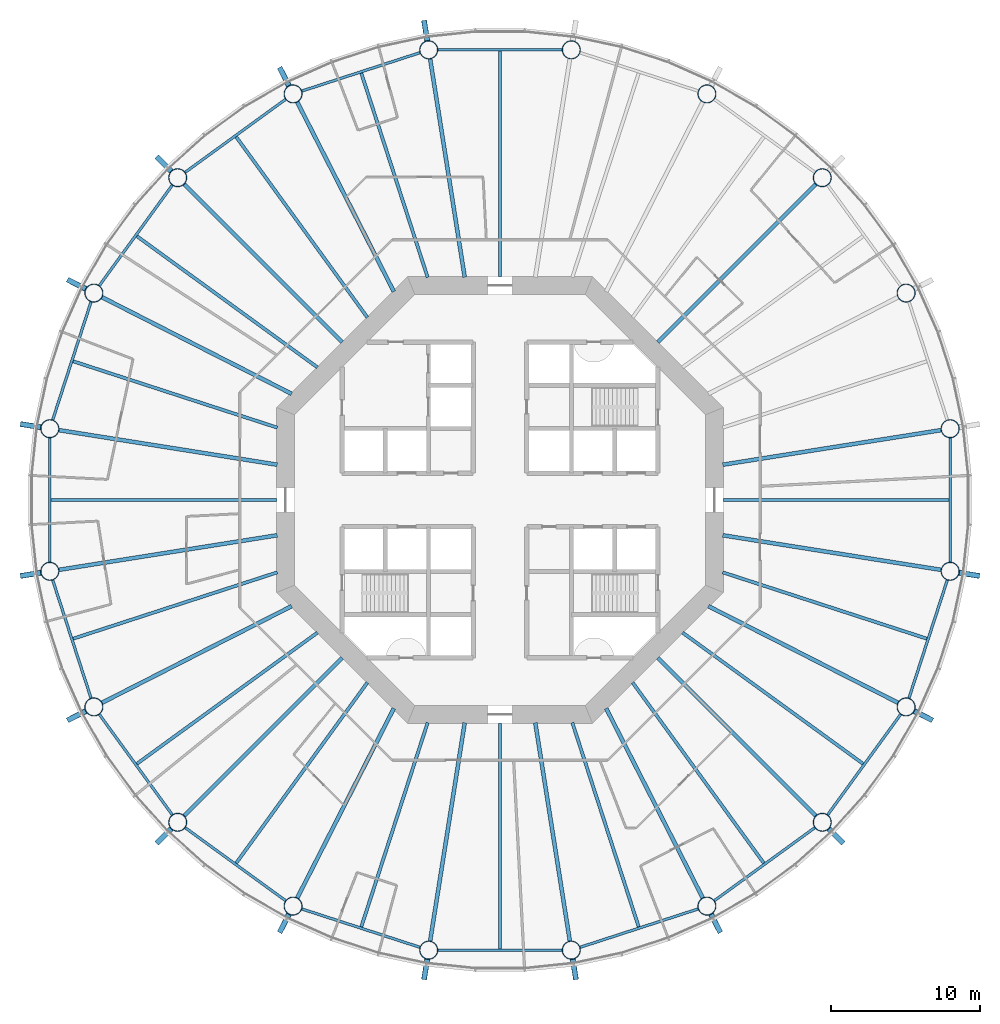
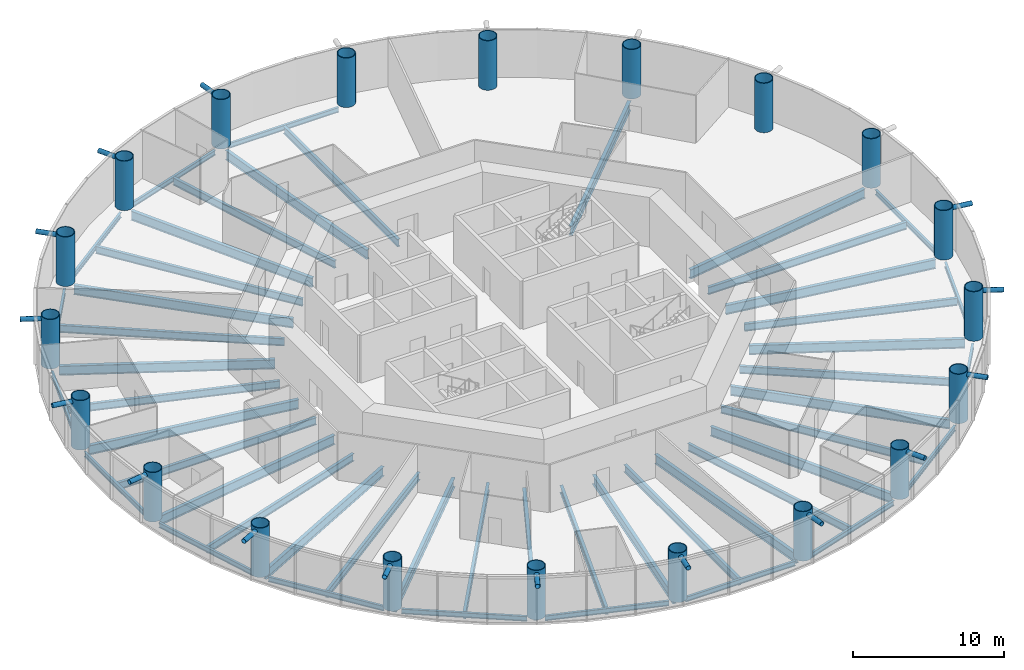
# One storey, part 1 of 13: 49 beams, 20 columns, 15 members.
"""IFC4 building model written with IfcOpenShell, lengths in metres."""

from ifc_helpers import new_model, si_unit, direction, frame, origin, origin_2d, place, context, subcontext, project, spatial, circle, hollow_circle, i_section, extrude, material, material_profile, profile_set, type_object, element, save


model = new_model("IFC4")

# Units and contexts
model_context = context("Model", 3, precision=1e-05, world=origin(), true_north=direction((0.0, 1.0)))
body_context = subcontext(model_context, "Body", "Model", "MODEL_VIEW")
ifc_project = project(units=[si_unit("LENGTHUNIT", "METRE"), si_unit("AREAUNIT", "SQUARE_METRE"), si_unit("VOLUMEUNIT", "CUBIC_METRE"), si_unit("PLANEANGLEUNIT", "RADIAN"), si_unit("MASSUNIT", "GRAM", prefix="KILO")], contexts=[model_context])

# Site, building, storey
site_placement = place(None, origin())
site = spatial("IfcSite", under=ifc_project, at=site_placement, CompositionType="ELEMENT")
building_placement = place(site_placement, origin())
building = spatial("IfcBuilding", under=site, at=building_placement, Name="Entoto Ring Tower", CompositionType="ELEMENT")
storey_placement = place(building_placement, frame((0.0, 0.0, 92.0)))
storey = spatial("IfcBuildingStorey", under=building, at=storey_placement, Name="L20", CompositionType="ELEMENT", Elevation=92.0)

# Columns
ifc_material_1 = material(Name="Steel S355", Category="steel")
ifc_material_profile_1 = material_profile(ifc_material_1, hollow_circle(Radius=0.625, WallThickness=0.054931640625, at=origin_2d()), Name="CHS 1250 x 55")
ifc_material_2 = material(Name="Concrete C60/75", Category="concrete")
ifc_material_profile_2 = material_profile(ifc_material_2, circle(Radius=0.570068359375, at=origin_2d()), Name="Concrete C60/75 infill")
ifc_profile_set_1 = profile_set([ifc_material_profile_1, ifc_material_profile_2], Name="Steel S355")
column_type = type_object("IfcColumnType", Name="Ring column 1250 x 55 concrete-filled tube", PredefinedType="COLUMN", material=ifc_profile_set_1)
for number, where, z_axis, x_axis, name in (
    (1, (120.22314453125, 84.786865234375, 0.0), (0.0, 0.0, 1.0), (1.0, 0.0, 0.0), "RC2 R01"),
    (2, (117.264892578125, 93.89208984375, 0.0), (0.0, 0.0, 1.0), (1.0, 0.0, 0.0), "RC2 R02"),
    (3, (111.637451171875, 101.637451171875, 0.0), (0.0, 0.0, 1.0), (1.0, 0.0, 0.0), "RC2 R03"),
    (4, (103.89208984375, 107.264892578125, 0.0), (0.0, 0.0, 1.0), (1.0, 0.0, 0.0), "RC2 R04"),
    (5, (94.786865234375, 110.22314453125, 0.0), (0.0, 0.0, 1.0), (1.0, 0.0, 0.0), "RC2 R05"),
    (6, (85.213134765625, 110.22314453125, 0.0), (0.0, 0.0, 1.0), (1.0, 0.0, 0.0), "RC2 R06"),
    (7, (76.10791015625, 107.264892578125, 0.0), (0.0, 0.0, 1.0), (1.0, 0.0, 0.0), "RC2 R07"),
    (8, (68.362548828125, 101.637451171875, 0.0), (0.0, 0.0, 1.0), (1.0, 0.0, 0.0), "RC2 R08"),
    (9, (62.735107421875, 93.89208984375, 0.0), (0.0, 0.0, 1.0), (1.0, 0.0, 0.0), "RC2 R09"),
    (10, (59.77685546875, 84.786865234375, 0.0), (0.0, 0.0, 1.0), (1.0, 0.0, 0.0), "RC2 R10"),
    (11, (59.77685546875, 75.213134765625, 0.0), (0.0, 0.0, 1.0), (1.0, 0.0, 0.0), "RC2 R11"),
    (12, (62.735107421875, 66.10791015625, 0.0), (0.0, 0.0, 1.0), (1.0, 0.0, 0.0), "RC2 R12"),
    (13, (68.362548828125, 58.362548828125, 0.0), (0.0, 0.0, 1.0), (1.0, 0.0, 0.0), "RC2 R13"),
    (14, (76.10791015625, 52.735107421875, 0.0), (0.0, 0.0, 1.0), (1.0, 0.0, 0.0), "RC2 R14"),
    (15, (85.213134765625, 49.77685546875, 0.0), (0.0, 0.0, 1.0), (1.0, 0.0, 0.0), "RC2 R15"),
    (16, (94.786865234375, 49.77685546875, 0.0), (0.0, 0.0, 1.0), (1.0, 0.0, 0.0), "RC2 R16"),
    (17, (103.89208984375, 52.735107421875, 0.0), (0.0, 0.0, 1.0), (1.0, 0.0, 0.0), "RC2 R17"),
    (18, (111.637451171875, 58.362548828125, 0.0), (0.0, 0.0, 1.0), (1.0, 0.0, 0.0), "RC2 R18"),
    (19, (117.264892578125, 66.10791015625, 0.0), (0.0, 0.0, 1.0), (1.0, 0.0, 0.0), "RC2 R19"),
    (20, (120.22314453125, 75.213134765625, 0.0), (0.0, 0.0, 1.0), (1.0, 0.0, 0.0), "RC2 R20"),
):
    element("IfcColumn", number, at=place(storey_placement, frame(where, z_axis=z_axis, x_axis=x_axis)), inside=storey, type_object=column_type, Name=name, PredefinedType="COLUMN", context=body_context, shape_type="SweptSolid", body=[
        extrude(hollow_circle(Radius=0.625, WallThickness=0.054931640625, at=origin_2d()), origin(), (0.0, 0.0, 1.0), 4.0),
    ])

# Members
ifc_material_3 = material(Name="Steel S355", Category="steel")
ifc_material_profile_3 = material_profile(ifc_material_3, hollow_circle(Radius=0.177734375, WallThickness=0.01611328125, at=origin_2d()), Name="CHS 355.6 x 16")
ifc_material_4 = material(Name="Concrete C60/75", Category="concrete")
ifc_material_profile_4 = material_profile(ifc_material_4, circle(Radius=0.161865234375, at=origin_2d()), Name="Concrete C60/75 infill")
ifc_profile_set_2 = profile_set([ifc_material_profile_3, ifc_material_profile_4], Name="Steel S355")
member_type = type_object("IfcMemberType", Name="Diagrid node strut 355.6 x 16", PredefinedType="STRUT", material=ifc_profile_set_2)
member_1_placement = place(storey_placement, frame((85.12255859375, 110.795166015625, 3.672119140625), z_axis=(-0.156509522646, 0.987676449715, 0.0), x_axis=(-0.987676449715, -0.156509522646, 0.0)))
element("IfcMember", 21, at=member_1_placement, inside=storey, type_object=member_type, Name="DS1 strut ring 6 06", PredefinedType="STRUT", context=body_context, shape_type="SweptSolid", body=[
    extrude(hollow_circle(Radius=0.177734375, WallThickness=0.01611328125, at=origin_2d()), origin(), (0.0, 0.0, 1.0), 1.421142578125),
])
member_2_placement = place(storey_placement, frame((75.844970703125, 107.78076171875, 3.672119140625), z_axis=(-0.45393607671, 0.891034252013, 0.0), x_axis=(-0.891034252013, -0.45393607671, 0.0)))
element("IfcMember", 22, at=member_2_placement, inside=storey, type_object=member_type, Name="DS1 strut ring 6 07", PredefinedType="STRUT", context=body_context, shape_type="SweptSolid", body=[
    extrude(hollow_circle(Radius=0.177734375, WallThickness=0.01611328125, at=origin_2d()), origin(), (0.0, 0.0, 1.0), 1.4208984375),
])
member_3_placement = place(storey_placement, frame((67.953125, 102.046875, 3.672119140625), z_axis=(-0.707106781187, 0.707106781187, 0.0), x_axis=(-0.707106781187, -0.707106781187, 0.0)))
element("IfcMember", 23, at=member_3_placement, inside=storey, type_object=member_type, Name="DS1 strut ring 6 08", PredefinedType="STRUT", context=body_context, shape_type="SweptSolid", body=[
    extrude(hollow_circle(Radius=0.177734375, WallThickness=0.01611328125, at=origin_2d()), origin(), (0.0, 0.0, 1.0), 1.421142578125),
])
member_4_placement = place(storey_placement, frame((62.21923828125, 94.155029296875, 3.672119140625), z_axis=(-0.891034252013, 0.45393607671, 0.0), x_axis=(-0.45393607671, -0.891034252013, 0.0)))
element("IfcMember", 24, at=member_4_placement, inside=storey, type_object=member_type, Name="DS1 strut ring 6 09", PredefinedType="STRUT", context=body_context, shape_type="SweptSolid", body=[
    extrude(hollow_circle(Radius=0.177734375, WallThickness=0.01611328125, at=origin_2d()), origin(), (0.0, 0.0, 1.0), 1.4208984375),
])
for number, where, z_axis, x_axis, name in (
    (25, (59.204833984375, 84.87744140625, 3.672119140625), (-0.987676449715, 0.156509522646, 0.0), (-0.156509522646, -0.987676449715, 0.0), "DS1 strut ring 6 10"),
    (26, (59.204833984375, 75.12255859375, 3.672119140625), (-0.987676449715, -0.156509522646, 0.0), (0.156509522646, -0.987676449715, 0.0), "DS1 strut ring 6 11"),
):
    element("IfcMember", number, at=place(storey_placement, frame(where, z_axis=z_axis, x_axis=x_axis)), inside=storey, type_object=member_type, Name=name, PredefinedType="STRUT", context=body_context, shape_type="SweptSolid", body=[
        extrude(hollow_circle(Radius=0.177734375, WallThickness=0.01611328125, at=origin_2d()), origin(), (0.0, 0.0, 1.0), 1.421142578125),
    ])
member_5_placement = place(storey_placement, frame((62.21923828125, 65.844970703125, 3.672119140625), z_axis=(-0.891034252013, -0.45393607671, 0.0), x_axis=(0.45393607671, -0.891034252013, 0.0)))
element("IfcMember", 27, at=member_5_placement, inside=storey, type_object=member_type, Name="DS1 strut ring 6 12", PredefinedType="STRUT", context=body_context, shape_type="SweptSolid", body=[
    extrude(hollow_circle(Radius=0.177734375, WallThickness=0.01611328125, at=origin_2d()), origin(), (0.0, 0.0, 1.0), 1.4208984375),
])
member_6_placement = place(storey_placement, frame((67.953125, 57.953125, 3.672119140625), z_axis=(-0.707106781187, -0.707106781187, 0.0), x_axis=(0.707106781187, -0.707106781187, 0.0)))
element("IfcMember", 28, at=member_6_placement, inside=storey, type_object=member_type, Name="DS1 strut ring 6 13", PredefinedType="STRUT", context=body_context, shape_type="SweptSolid", body=[
    extrude(hollow_circle(Radius=0.177734375, WallThickness=0.01611328125, at=origin_2d()), origin(), (0.0, 0.0, 1.0), 1.421142578125),
])
member_7_placement = place(storey_placement, frame((75.844970703125, 52.21923828125, 3.672119140625), z_axis=(-0.45393607671, -0.891034252013, 0.0), x_axis=(0.891034252013, -0.45393607671, 0.0)))
element("IfcMember", 29, at=member_7_placement, inside=storey, type_object=member_type, Name="DS1 strut ring 6 14", PredefinedType="STRUT", context=body_context, shape_type="SweptSolid", body=[
    extrude(hollow_circle(Radius=0.177734375, WallThickness=0.01611328125, at=origin_2d()), origin(), (0.0, 0.0, 1.0), 1.4208984375),
])
for number, where, z_axis, x_axis, name in (
    (30, (85.12255859375, 49.204833984375, 3.672119140625), (-0.156509522646, -0.987676449715, 0.0), (0.987676449715, -0.156509522646, 0.0), "DS1 strut ring 6 15"),
    (31, (94.87744140625, 49.204833984375, 3.672119140625), (0.156509522646, -0.987676449715, 0.0), (0.987676449715, 0.156509522646, 0.0), "DS1 strut ring 6 16"),
):
    element("IfcMember", number, at=place(storey_placement, frame(where, z_axis=z_axis, x_axis=x_axis)), inside=storey, type_object=member_type, Name=name, PredefinedType="STRUT", context=body_context, shape_type="SweptSolid", body=[
        extrude(hollow_circle(Radius=0.177734375, WallThickness=0.01611328125, at=origin_2d()), origin(), (0.0, 0.0, 1.0), 1.421142578125),
    ])
member_8_placement = place(storey_placement, frame((104.155029296875, 52.21923828125, 3.672119140625), z_axis=(0.45393607671, -0.891034252013, 0.0), x_axis=(0.891034252013, 0.45393607671, 0.0)))
element("IfcMember", 32, at=member_8_placement, inside=storey, type_object=member_type, Name="DS1 strut ring 6 17", PredefinedType="STRUT", context=body_context, shape_type="SweptSolid", body=[
    extrude(hollow_circle(Radius=0.177734375, WallThickness=0.01611328125, at=origin_2d()), origin(), (0.0, 0.0, 1.0), 1.4208984375),
])
member_9_placement = place(storey_placement, frame((112.046875, 57.953125, 3.672119140625), z_axis=(0.707106781187, -0.707106781187, 0.0), x_axis=(0.707106781187, 0.707106781187, 0.0)))
element("IfcMember", 33, at=member_9_placement, inside=storey, type_object=member_type, Name="DS1 strut ring 6 18", PredefinedType="STRUT", context=body_context, shape_type="SweptSolid", body=[
    extrude(hollow_circle(Radius=0.177734375, WallThickness=0.01611328125, at=origin_2d()), origin(), (0.0, 0.0, 1.0), 1.421142578125),
])
member_10_placement = place(storey_placement, frame((117.78076171875, 65.844970703125, 3.672119140625), z_axis=(0.891034252013, -0.45393607671, 0.0), x_axis=(0.45393607671, 0.891034252013, 0.0)))
element("IfcMember", 34, at=member_10_placement, inside=storey, type_object=member_type, Name="DS1 strut ring 6 19", PredefinedType="STRUT", context=body_context, shape_type="SweptSolid", body=[
    extrude(hollow_circle(Radius=0.177734375, WallThickness=0.01611328125, at=origin_2d()), origin(), (0.0, 0.0, 1.0), 1.4208984375),
])
member_11_placement = place(storey_placement, frame((120.795166015625, 75.12255859375, 3.672119140625), z_axis=(0.987676449715, -0.156509522646, 0.0), x_axis=(0.156509522646, 0.987676449715, 0.0)))
element("IfcMember", 35, at=member_11_placement, inside=storey, type_object=member_type, Name="DS1 strut ring 6 20", PredefinedType="STRUT", context=body_context, shape_type="SweptSolid", body=[
    extrude(hollow_circle(Radius=0.177734375, WallThickness=0.01611328125, at=origin_2d()), origin(), (0.0, 0.0, 1.0), 1.421142578125),
])

# Beams
ifc_material_5 = material(Name="Steel S355", Category="steel")
ifc_material_profile_5 = material_profile(ifc_material_5, i_section(OverallWidth=0.179931640625, OverallDepth=0.39990234375, WebThickness=0.008544921875, FlangeThickness=0.013427734375, FilletRadius=0.02099609375, at=origin_2d()), Name="IPE 400")
ifc_profile_set_3 = profile_set([ifc_material_profile_5], Name="Steel S355")
beam_type_1 = type_object("IfcBeamType", Name="Edge beam IPE 400", PredefinedType="SPANDREL", material=ifc_profile_set_3)
for number, where, z_axis, x_axis, name in (
    (36, (94.1884765625, 110.22314453125, -0.35009765625), (-1.0, 0.0, 0.0), (0.0, -1.0, 0.0), "Edge beam L20 05"),
    (37, (84.64404296875, 110.038330078125, -0.35009765625), (-0.951057410904, -0.309014241039, 0.0), (0.309014241039, -0.951057410904, 0.0), "Edge beam L20 06"),
    (38, (75.623779296875, 106.9130859375, -0.35009765625), (-0.8090182976, -0.587783458554, 0.0), (0.587783458554, -0.8090182976, 0.0), "Edge beam L20 07"),
    (39, (68.0107421875, 101.1533203125, -0.35009765625), (-0.587783458554, -0.8090182976, 0.0), (0.8090182976, -0.587783458554, 0.0), "Edge beam L20 08"),
    (40, (62.55029296875, 93.322998046875, -0.35009765625), (-0.309014241039, -0.951057410904, 0.0), (0.951057410904, -0.309014241039, 0.0), "Edge beam L20 09"),
    (41, (59.77685546875, 84.1884765625, -0.35009765625), (0.0, -1.0, 0.0), (1.0, 0.0, 0.0), "Edge beam L20 10"),
    (42, (59.961669921875, 74.64404296875, -0.35009765625), (0.309014241039, -0.951057410904, 0.0), (0.951057410904, 0.309014241039, 0.0), "Edge beam L20 11"),
    (43, (63.0869140625, 65.623779296875, -0.35009765625), (0.587783458554, -0.8090182976, 0.0), (0.8090182976, 0.587783458554, 0.0), "Edge beam L20 12"),
    (44, (68.8466796875, 58.0107421875, -0.35009765625), (0.8090182976, -0.587783458554, 0.0), (0.587783458554, 0.8090182976, 0.0), "Edge beam L20 13"),
    (45, (76.677001953125, 52.55029296875, -0.35009765625), (0.951057410904, -0.309014241039, 0.0), (0.309014241039, 0.951057410904, 0.0), "Edge beam L20 14"),
    (46, (85.8115234375, 49.77685546875, -0.35009765625), (1.0, 0.0, 0.0), (0.0, 1.0, 0.0), "Edge beam L20 15"),
    (47, (95.35595703125, 49.961669921875, -0.35009765625), (0.951057410904, 0.309014241039, 0.0), (-0.309014241039, 0.951057410904, 0.0), "Edge beam L20 16"),
    (48, (104.376220703125, 53.0869140625, -0.35009765625), (0.8090182976, 0.587783458554, 0.0), (-0.587783458554, 0.8090182976, 0.0), "Edge beam L20 17"),
    (49, (111.9892578125, 58.8466796875, -0.35009765625), (0.587783458554, 0.8090182976, 0.0), (-0.8090182976, 0.587783458554, 0.0), "Edge beam L20 18"),
    (50, (117.44970703125, 66.677001953125, -0.35009765625), (0.309014241039, 0.951057410904, 0.0), (-0.951057410904, 0.309014241039, 0.0), "Edge beam L20 19"),
    (51, (120.22314453125, 75.8115234375, -0.35009765625), (0.0, 1.0, 0.0), (-1.0, 0.0, 0.0), "Edge beam L20 20"),
):
    element("IfcBeam", number, at=place(storey_placement, frame(where, z_axis=z_axis, x_axis=x_axis)), inside=storey, type_object=beam_type_1, Name=name, PredefinedType="SPANDREL", context=body_context, shape_type="SweptSolid", body=[
        extrude(i_section(OverallWidth=0.179931640625, OverallDepth=0.39990234375, WebThickness=0.008544921875, FlangeThickness=0.013427734375, FilletRadius=0.02099609375, at=origin_2d()), origin(), (0.0, 0.0, 1.0), 8.376953125),
    ])
ifc_material_6 = material(Name="Steel S355", Category="steel")
ifc_material_profile_6 = material_profile(ifc_material_6, i_section(OverallWidth=0.262939453125, OverallDepth=0.7529296875, WebThickness=0.011474609375, FlangeThickness=0.01708984375, FilletRadius=0.01708984375, at=origin_2d()), Name="IPE 750 x 137")
ifc_profile_set_4 = profile_set([ifc_material_profile_6], Name="Steel S355")
beam_type_2 = type_object("IfcBeamType", Name="Primary floor beam IPE 750 x 137", PredefinedType="BEAM", material=ifc_profile_set_4)
beam_1_placement = place(storey_placement, frame((104.959716796875, 82.369384765625, -0.526611328125), z_axis=(0.98768960451, 0.156426484787, 0.0), x_axis=(-0.156426484787, 0.98768960451, 0.0)))
element("IfcBeam", 52, at=beam_1_placement, inside=storey, type_object=beam_type_2, Name="Primary L20 R01", PredefinedType="BEAM", context=body_context, shape_type="SweptSolid", body=[
    extrude(i_section(OverallWidth=0.262939453125, OverallDepth=0.7529296875, WebThickness=0.011474609375, FlangeThickness=0.01708984375, FilletRadius=0.01708984375, at=origin_2d()), origin(), (0.0, 0.0, 1.0), 14.86279296875),
])
beam_2_placement = place(storey_placement, frame((100.592529296875, 90.592529296875, -0.526611328125), z_axis=(0.707106781187, 0.707106781187, 0.0), x_axis=(-0.707106781187, 0.707106781187, 0.0)))
element("IfcBeam", 53, at=beam_2_placement, inside=storey, type_object=beam_type_2, Name="Primary L20 R03", PredefinedType="BEAM", context=body_context, shape_type="SweptSolid", body=[
    extrude(i_section(OverallWidth=0.262939453125, OverallDepth=0.7529296875, WebThickness=0.011474609375, FlangeThickness=0.01708984375, FilletRadius=0.01708984375, at=origin_2d()), origin(), (0.0, 0.0, 1.0), 15.029052734375),
])
beam_3_placement = place(storey_placement, frame((87.630615234375, 94.959716796875, -0.526611328125), z_axis=(-0.156426484787, 0.98768960451, 0.0), x_axis=(-0.98768960451, -0.156426484787, 0.0)))
element("IfcBeam", 54, at=beam_3_placement, inside=storey, type_object=beam_type_2, Name="Primary L20 R06", PredefinedType="BEAM", context=body_context, shape_type="SweptSolid", body=[
    extrude(i_section(OverallWidth=0.262939453125, OverallDepth=0.7529296875, WebThickness=0.011474609375, FlangeThickness=0.01708984375, FilletRadius=0.01708984375, at=origin_2d()), origin(), (0.0, 0.0, 1.0), 14.86279296875),
])
beam_4_placement = place(storey_placement, frame((82.8681640625, 93.9970703125, -0.526611328125), z_axis=(-0.453988952421, 0.891007312585, 0.0), x_axis=(-0.891007312585, -0.453988952421, 0.0)))
element("IfcBeam", 55, at=beam_4_placement, inside=storey, type_object=beam_type_2, Name="Primary L20 R07", PredefinedType="BEAM", context=body_context, shape_type="SweptSolid", body=[
    extrude(i_section(OverallWidth=0.262939453125, OverallDepth=0.7529296875, WebThickness=0.011474609375, FlangeThickness=0.01708984375, FilletRadius=0.01708984375, at=origin_2d()), origin(), (0.0, 0.0, 1.0), 14.2998046875),
])
beam_5_placement = place(storey_placement, frame((79.407470703125, 90.592529296875, -0.526611328125), z_axis=(-0.707106781187, 0.707106781187, 0.0), x_axis=(-0.707106781187, -0.707106781187, 0.0)))
element("IfcBeam", 56, at=beam_5_placement, inside=storey, type_object=beam_type_2, Name="Primary L20 R08", PredefinedType="BEAM", context=body_context, shape_type="SweptSolid", body=[
    extrude(i_section(OverallWidth=0.262939453125, OverallDepth=0.7529296875, WebThickness=0.011474609375, FlangeThickness=0.01708984375, FilletRadius=0.01708984375, at=origin_2d()), origin(), (0.0, 0.0, 1.0), 15.029052734375),
])
beam_6_placement = place(storey_placement, frame((76.0029296875, 87.1318359375, -0.526611328125), z_axis=(-0.891007312585, 0.453988952421, 0.0), x_axis=(-0.453988952421, -0.891007312585, 0.0)))
element("IfcBeam", 57, at=beam_6_placement, inside=storey, type_object=beam_type_2, Name="Primary L20 R09", PredefinedType="BEAM", context=body_context, shape_type="SweptSolid", body=[
    extrude(i_section(OverallWidth=0.262939453125, OverallDepth=0.7529296875, WebThickness=0.011474609375, FlangeThickness=0.01708984375, FilletRadius=0.01708984375, at=origin_2d()), origin(), (0.0, 0.0, 1.0), 14.2998046875),
])
for number, where, z_axis, x_axis, name in (
    (58, (75.040283203125, 82.369384765625, -0.526611328125), (-0.98768960451, 0.156426484787, 0.0), (-0.156426484787, -0.98768960451, 0.0), "Primary L20 R10"),
    (59, (75.040283203125, 77.630615234375, -0.526611328125), (-0.98768960451, -0.156426484787, 0.0), (0.156426484787, -0.98768960451, 0.0), "Primary L20 R11"),
):
    element("IfcBeam", number, at=place(storey_placement, frame(where, z_axis=z_axis, x_axis=x_axis)), inside=storey, type_object=beam_type_2, Name=name, PredefinedType="BEAM", context=body_context, shape_type="SweptSolid", body=[
        extrude(i_section(OverallWidth=0.262939453125, OverallDepth=0.7529296875, WebThickness=0.011474609375, FlangeThickness=0.01708984375, FilletRadius=0.01708984375, at=origin_2d()), origin(), (0.0, 0.0, 1.0), 14.86279296875),
    ])
beam_7_placement = place(storey_placement, frame((76.0029296875, 72.8681640625, -0.526611328125), z_axis=(-0.891007312585, -0.453988952421, 0.0), x_axis=(0.453988952421, -0.891007312585, 0.0)))
element("IfcBeam", 60, at=beam_7_placement, inside=storey, type_object=beam_type_2, Name="Primary L20 R12", PredefinedType="BEAM", context=body_context, shape_type="SweptSolid", body=[
    extrude(i_section(OverallWidth=0.262939453125, OverallDepth=0.7529296875, WebThickness=0.011474609375, FlangeThickness=0.01708984375, FilletRadius=0.01708984375, at=origin_2d()), origin(), (0.0, 0.0, 1.0), 14.2998046875),
])
beam_8_placement = place(storey_placement, frame((79.407470703125, 69.407470703125, -0.526611328125), z_axis=(-0.707106781187, -0.707106781187, 0.0), x_axis=(0.707106781187, -0.707106781187, 0.0)))
element("IfcBeam", 61, at=beam_8_placement, inside=storey, type_object=beam_type_2, Name="Primary L20 R13", PredefinedType="BEAM", context=body_context, shape_type="SweptSolid", body=[
    extrude(i_section(OverallWidth=0.262939453125, OverallDepth=0.7529296875, WebThickness=0.011474609375, FlangeThickness=0.01708984375, FilletRadius=0.01708984375, at=origin_2d()), origin(), (0.0, 0.0, 1.0), 15.029052734375),
])
beam_9_placement = place(storey_placement, frame((82.8681640625, 66.0029296875, -0.526611328125), z_axis=(-0.453988952421, -0.891007312585, 0.0), x_axis=(0.891007312585, -0.453988952421, 0.0)))
element("IfcBeam", 62, at=beam_9_placement, inside=storey, type_object=beam_type_2, Name="Primary L20 R14", PredefinedType="BEAM", context=body_context, shape_type="SweptSolid", body=[
    extrude(i_section(OverallWidth=0.262939453125, OverallDepth=0.7529296875, WebThickness=0.011474609375, FlangeThickness=0.01708984375, FilletRadius=0.01708984375, at=origin_2d()), origin(), (0.0, 0.0, 1.0), 14.2998046875),
])
for number, where, z_axis, x_axis, name in (
    (63, (87.630615234375, 65.040283203125, -0.526611328125), (-0.156426484787, -0.98768960451, 0.0), (0.98768960451, -0.156426484787, 0.0), "Primary L20 R15"),
    (64, (92.369384765625, 65.040283203125, -0.526611328125), (0.156426484787, -0.98768960451, 0.0), (0.98768960451, 0.156426484787, 0.0), "Primary L20 R16"),
):
    element("IfcBeam", number, at=place(storey_placement, frame(where, z_axis=z_axis, x_axis=x_axis)), inside=storey, type_object=beam_type_2, Name=name, PredefinedType="BEAM", context=body_context, shape_type="SweptSolid", body=[
        extrude(i_section(OverallWidth=0.262939453125, OverallDepth=0.7529296875, WebThickness=0.011474609375, FlangeThickness=0.01708984375, FilletRadius=0.01708984375, at=origin_2d()), origin(), (0.0, 0.0, 1.0), 14.86279296875),
    ])
beam_10_placement = place(storey_placement, frame((97.1318359375, 66.0029296875, -0.526611328125), z_axis=(0.453988952421, -0.891007312585, 0.0), x_axis=(0.891007312585, 0.453988952421, 0.0)))
element("IfcBeam", 65, at=beam_10_placement, inside=storey, type_object=beam_type_2, Name="Primary L20 R17", PredefinedType="BEAM", context=body_context, shape_type="SweptSolid", body=[
    extrude(i_section(OverallWidth=0.262939453125, OverallDepth=0.7529296875, WebThickness=0.011474609375, FlangeThickness=0.01708984375, FilletRadius=0.01708984375, at=origin_2d()), origin(), (0.0, 0.0, 1.0), 14.2998046875),
])
beam_11_placement = place(storey_placement, frame((100.592529296875, 69.407470703125, -0.526611328125), z_axis=(0.707106781187, -0.707106781187, 0.0), x_axis=(0.707106781187, 0.707106781187, 0.0)))
element("IfcBeam", 66, at=beam_11_placement, inside=storey, type_object=beam_type_2, Name="Primary L20 R18", PredefinedType="BEAM", context=body_context, shape_type="SweptSolid", body=[
    extrude(i_section(OverallWidth=0.262939453125, OverallDepth=0.7529296875, WebThickness=0.011474609375, FlangeThickness=0.01708984375, FilletRadius=0.01708984375, at=origin_2d()), origin(), (0.0, 0.0, 1.0), 15.029052734375),
])
beam_12_placement = place(storey_placement, frame((103.9970703125, 72.8681640625, -0.526611328125), z_axis=(0.891007312585, -0.453988952421, 0.0), x_axis=(0.453988952421, 0.891007312585, 0.0)))
element("IfcBeam", 67, at=beam_12_placement, inside=storey, type_object=beam_type_2, Name="Primary L20 R19", PredefinedType="BEAM", context=body_context, shape_type="SweptSolid", body=[
    extrude(i_section(OverallWidth=0.262939453125, OverallDepth=0.7529296875, WebThickness=0.011474609375, FlangeThickness=0.01708984375, FilletRadius=0.01708984375, at=origin_2d()), origin(), (0.0, 0.0, 1.0), 14.2998046875),
])
beam_13_placement = place(storey_placement, frame((104.959716796875, 77.630615234375, -0.526611328125), z_axis=(0.98768960451, -0.156426484787, 0.0), x_axis=(0.156426484787, 0.98768960451, 0.0)))
element("IfcBeam", 68, at=beam_13_placement, inside=storey, type_object=beam_type_2, Name="Primary L20 R20", PredefinedType="BEAM", context=body_context, shape_type="SweptSolid", body=[
    extrude(i_section(OverallWidth=0.262939453125, OverallDepth=0.7529296875, WebThickness=0.011474609375, FlangeThickness=0.01708984375, FilletRadius=0.01708984375, at=origin_2d()), origin(), (0.0, 0.0, 1.0), 14.86279296875),
])
ifc_material_7 = material(Name="Steel S355", Category="steel")
ifc_material_profile_7 = material_profile(ifc_material_7, i_section(OverallWidth=0.219970703125, OverallDepth=0.60009765625, WebThickness=0.011962890625, FlangeThickness=0.01904296875, FilletRadius=0.02392578125, at=origin_2d()), Name="IPE 600")
ifc_profile_set_5 = profile_set([ifc_material_profile_7], Name="Steel S355")
beam_type_3 = type_object("IfcBeamType", Name="Secondary floor beam IPE 600", PredefinedType="JOIST", material=ifc_profile_set_5)
beam_14_placement = place(storey_placement, frame((90.0, 94.97998046875, -0.449951171875), z_axis=(0.0, 1.0, 0.0), x_axis=(-1.0, 0.0, 0.0)))
element("IfcBeam", 69, at=beam_14_placement, inside=storey, type_object=beam_type_3, Name="Secondary beam L20 05", PredefinedType="JOIST", context=body_context, shape_type="SweptSolid", body=[
    extrude(i_section(OverallWidth=0.219970703125, OverallDepth=0.60009765625, WebThickness=0.011962890625, FlangeThickness=0.01904296875, FilletRadius=0.02392578125, at=origin_2d()), origin(), (0.0, 0.0, 1.0), 15.1533203125),
])
beam_15_placement = place(storey_placement, frame((85.143310546875, 94.947021484375, -0.449951171875), z_axis=(-0.309014850288, 0.951057212949, 0.0), x_axis=(-0.951057212949, -0.309014850288, 0.0)))
element("IfcBeam", 70, at=beam_15_placement, inside=storey, type_object=beam_type_3, Name="Secondary beam L20 06", PredefinedType="JOIST", context=body_context, shape_type="SweptSolid", body=[
    extrude(i_section(OverallWidth=0.219970703125, OverallDepth=0.60009765625, WebThickness=0.011962890625, FlangeThickness=0.01904296875, FilletRadius=0.02392578125, at=origin_2d()), origin(), (0.0, 0.0, 1.0), 14.4169921875),
])
for number, where, z_axis, x_axis, name in (
    (71, (81.09521484375, 92.25634765625, -0.449951171875), (-0.587782163866, 0.809019238239, 0.0), (-0.809019238239, -0.587782163866, 0.0), "Secondary beam L20 07"),
    (72, (77.74365234375, 88.90478515625, -0.449951171875), (-0.809019238239, 0.587782163866, 0.0), (-0.587782163866, -0.809019238239, 0.0), "Secondary beam L20 08"),
):
    element("IfcBeam", number, at=place(storey_placement, frame(where, z_axis=z_axis, x_axis=x_axis)), inside=storey, type_object=beam_type_3, Name=name, PredefinedType="JOIST", context=body_context, shape_type="SweptSolid", body=[
        extrude(i_section(OverallWidth=0.219970703125, OverallDepth=0.60009765625, WebThickness=0.011962890625, FlangeThickness=0.01904296875, FilletRadius=0.02392578125, at=origin_2d()), origin(), (0.0, 0.0, 1.0), 14.983642578125),
    ])
beam_16_placement = place(storey_placement, frame((75.052978515625, 84.856689453125, -0.449951171875), z_axis=(-0.951057212949, 0.309014850288, 0.0), x_axis=(-0.309014850288, -0.951057212949, 0.0)))
element("IfcBeam", 73, at=beam_16_placement, inside=storey, type_object=beam_type_3, Name="Secondary beam L20 09", PredefinedType="JOIST", context=body_context, shape_type="SweptSolid", body=[
    extrude(i_section(OverallWidth=0.219970703125, OverallDepth=0.60009765625, WebThickness=0.011962890625, FlangeThickness=0.01904296875, FilletRadius=0.02392578125, at=origin_2d()), origin(), (0.0, 0.0, 1.0), 14.4169921875),
])
beam_17_placement = place(storey_placement, frame((75.02001953125, 80.0, -0.449951171875), z_axis=(-1.0, 0.0, 0.0), x_axis=(0.0, -1.0, 0.0)))
element("IfcBeam", 74, at=beam_17_placement, inside=storey, type_object=beam_type_3, Name="Secondary beam L20 10", PredefinedType="JOIST", context=body_context, shape_type="SweptSolid", body=[
    extrude(i_section(OverallWidth=0.219970703125, OverallDepth=0.60009765625, WebThickness=0.011962890625, FlangeThickness=0.01904296875, FilletRadius=0.02392578125, at=origin_2d()), origin(), (0.0, 0.0, 1.0), 15.1533203125),
])
beam_18_placement = place(storey_placement, frame((75.052978515625, 75.143310546875, -0.449951171875), z_axis=(-0.951057212949, -0.309014850288, 0.0), x_axis=(0.309014850288, -0.951057212949, 0.0)))
element("IfcBeam", 75, at=beam_18_placement, inside=storey, type_object=beam_type_3, Name="Secondary beam L20 11", PredefinedType="JOIST", context=body_context, shape_type="SweptSolid", body=[
    extrude(i_section(OverallWidth=0.219970703125, OverallDepth=0.60009765625, WebThickness=0.011962890625, FlangeThickness=0.01904296875, FilletRadius=0.02392578125, at=origin_2d()), origin(), (0.0, 0.0, 1.0), 14.4169921875),
])
for number, where, z_axis, x_axis, name in (
    (76, (77.74365234375, 71.09521484375, -0.449951171875), (-0.809019238239, -0.587782163866, 0.0), (0.587782163866, -0.809019238239, 0.0), "Secondary beam L20 12"),
    (77, (81.09521484375, 67.74365234375, -0.449951171875), (-0.587782163866, -0.809019238239, 0.0), (0.809019238239, -0.587782163866, 0.0), "Secondary beam L20 13"),
):
    element("IfcBeam", number, at=place(storey_placement, frame(where, z_axis=z_axis, x_axis=x_axis)), inside=storey, type_object=beam_type_3, Name=name, PredefinedType="JOIST", context=body_context, shape_type="SweptSolid", body=[
        extrude(i_section(OverallWidth=0.219970703125, OverallDepth=0.60009765625, WebThickness=0.011962890625, FlangeThickness=0.01904296875, FilletRadius=0.02392578125, at=origin_2d()), origin(), (0.0, 0.0, 1.0), 14.983642578125),
    ])
beam_19_placement = place(storey_placement, frame((85.143310546875, 65.052978515625, -0.449951171875), z_axis=(-0.309014850288, -0.951057212949, 0.0), x_axis=(0.951057212949, -0.309014850288, 0.0)))
element("IfcBeam", 78, at=beam_19_placement, inside=storey, type_object=beam_type_3, Name="Secondary beam L20 14", PredefinedType="JOIST", context=body_context, shape_type="SweptSolid", body=[
    extrude(i_section(OverallWidth=0.219970703125, OverallDepth=0.60009765625, WebThickness=0.011962890625, FlangeThickness=0.01904296875, FilletRadius=0.02392578125, at=origin_2d()), origin(), (0.0, 0.0, 1.0), 14.4169921875),
])
beam_20_placement = place(storey_placement, frame((90.0, 65.02001953125, -0.449951171875), z_axis=(0.0, -1.0, 0.0), x_axis=(1.0, 0.0, 0.0)))
element("IfcBeam", 79, at=beam_20_placement, inside=storey, type_object=beam_type_3, Name="Secondary beam L20 15", PredefinedType="JOIST", context=body_context, shape_type="SweptSolid", body=[
    extrude(i_section(OverallWidth=0.219970703125, OverallDepth=0.60009765625, WebThickness=0.011962890625, FlangeThickness=0.01904296875, FilletRadius=0.02392578125, at=origin_2d()), origin(), (0.0, 0.0, 1.0), 15.1533203125),
])
beam_21_placement = place(storey_placement, frame((94.856689453125, 65.052978515625, -0.449951171875), z_axis=(0.309014850288, -0.951057212949, 0.0), x_axis=(0.951057212949, 0.309014850288, 0.0)))
element("IfcBeam", 80, at=beam_21_placement, inside=storey, type_object=beam_type_3, Name="Secondary beam L20 16", PredefinedType="JOIST", context=body_context, shape_type="SweptSolid", body=[
    extrude(i_section(OverallWidth=0.219970703125, OverallDepth=0.60009765625, WebThickness=0.011962890625, FlangeThickness=0.01904296875, FilletRadius=0.02392578125, at=origin_2d()), origin(), (0.0, 0.0, 1.0), 14.4169921875),
])
for number, where, z_axis, x_axis, name in (
    (81, (98.90478515625, 67.74365234375, -0.449951171875), (0.587782163866, -0.809019238239, 0.0), (0.809019238239, 0.587782163866, 0.0), "Secondary beam L20 17"),
    (82, (102.25634765625, 71.09521484375, -0.449951171875), (0.809019238239, -0.587782163866, 0.0), (0.587782163866, 0.809019238239, 0.0), "Secondary beam L20 18"),
):
    element("IfcBeam", number, at=place(storey_placement, frame(where, z_axis=z_axis, x_axis=x_axis)), inside=storey, type_object=beam_type_3, Name=name, PredefinedType="JOIST", context=body_context, shape_type="SweptSolid", body=[
        extrude(i_section(OverallWidth=0.219970703125, OverallDepth=0.60009765625, WebThickness=0.011962890625, FlangeThickness=0.01904296875, FilletRadius=0.02392578125, at=origin_2d()), origin(), (0.0, 0.0, 1.0), 14.983642578125),
    ])
beam_22_placement = place(storey_placement, frame((104.947021484375, 75.143310546875, -0.449951171875), z_axis=(0.951057212949, -0.309014850288, 0.0), x_axis=(0.309014850288, 0.951057212949, 0.0)))
element("IfcBeam", 83, at=beam_22_placement, inside=storey, type_object=beam_type_3, Name="Secondary beam L20 19", PredefinedType="JOIST", context=body_context, shape_type="SweptSolid", body=[
    extrude(i_section(OverallWidth=0.219970703125, OverallDepth=0.60009765625, WebThickness=0.011962890625, FlangeThickness=0.01904296875, FilletRadius=0.02392578125, at=origin_2d()), origin(), (0.0, 0.0, 1.0), 14.4169921875),
])
beam_23_placement = place(storey_placement, frame((104.97998046875, 80.0, -0.449951171875), z_axis=(1.0, 0.0, 0.0), x_axis=(0.0, 1.0, 0.0)))
element("IfcBeam", 84, at=beam_23_placement, inside=storey, type_object=beam_type_3, Name="Secondary beam L20 20", PredefinedType="JOIST", context=body_context, shape_type="SweptSolid", body=[
    extrude(i_section(OverallWidth=0.219970703125, OverallDepth=0.60009765625, WebThickness=0.011962890625, FlangeThickness=0.01904296875, FilletRadius=0.02392578125, at=origin_2d()), origin(), (0.0, 0.0, 1.0), 15.1533203125),
])

save(model, "model.ifc")
